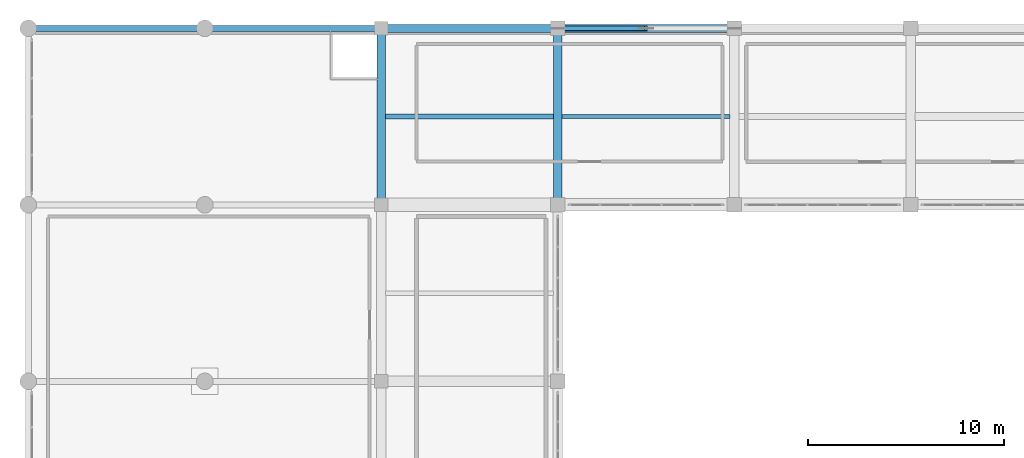
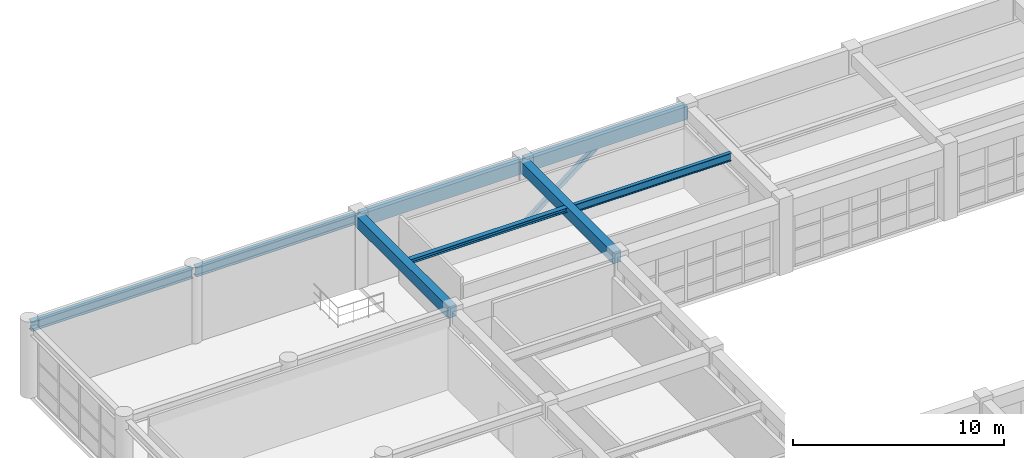
# One storey, part 66 of 133: 8 beams, 1 member.
"""IFC4 building model written with IfcOpenShell, lengths in metres."""

from ifc_helpers import new_model, si_unit, direction, frame, origin, origin_2d, place, context, subcontext, project, spatial, rectangle, hollow_rectangle, i_section, extrude, material, material_profile, profile_set, type_object, element, save


model = new_model("IFC4")

# Units and contexts
model_context = context("Model", 3, precision=1e-05, world=origin(), true_north=direction((0.0, 1.0)))
body_context = subcontext(model_context, "Body", "Model", "MODEL_VIEW")
ifc_project = project(units=[si_unit("LENGTHUNIT", "METRE"), si_unit("AREAUNIT", "SQUARE_METRE"), si_unit("VOLUMEUNIT", "CUBIC_METRE"), si_unit("PLANEANGLEUNIT", "RADIAN"), si_unit("MASSUNIT", "GRAM", prefix="KILO")], contexts=[model_context])

# Site, building, storey
site_placement = place(None, origin())
site = spatial("IfcSite", under=ifc_project, at=site_placement, CompositionType="ELEMENT")
building_placement = place(site_placement, origin())
building = spatial("IfcBuilding", under=site, at=building_placement, Name="Miravela Opera House", CompositionType="ELEMENT")
storey_placement = place(building_placement, frame((0.0, 0.0, 5.10009765625)))
storey = spatial("IfcBuildingStorey", under=building, at=storey_placement, Name="L01", CompositionType="ELEMENT", Elevation=5.10009765625)

# Beams
ifc_material_1 = material(Name="Concrete C35/45", Category="concrete")
ifc_material_profile_1 = material_profile(ifc_material_1, rectangle(XDim=0.449951171875, YDim=0.64990234375, at=origin_2d()), Name="RC-BM-450X650")
ifc_profile_set_1 = profile_set([ifc_material_profile_1])
beam_type_1 = type_object("IfcBeamType", Name="STR-BM-RC450X650", PredefinedType="BEAM", material=ifc_profile_set_1)
for number, where, z_axis, x_axis, name in (
    (1, (18.0, 103.080078125, 3.8349609375), (0.0, 1.0, 0.0), (-1.0, 0.0, 0.0), "Floor Girder L01 3/L-M"),
    (2, (27.0, 103.080078125, 3.8349609375), (0.0, 1.0, 0.0), (-1.0, 0.0, 0.0), "Floor Girder L01 4/L-M"),
):
    element("IfcBeam", number, at=place(storey_placement, frame(where, z_axis=z_axis, x_axis=x_axis)), inside=storey, type_object=beam_type_1, Name=name, PredefinedType="BEAM", context=body_context, shape_type="SweptSolid", body=[
        extrude(rectangle(XDim=0.449951171875, YDim=0.64990234375, at=origin_2d()), origin(), (0.0, 0.0, 1.0), 8.83984375),
    ])
ifc_material_2 = material(Name="Structural steel ASTM A992 Gr. 50", Category="steel")
ifc_material_profile_2 = material_profile(ifc_material_2, i_section(OverallWidth=0.25390625, OverallDepth=0.2529296875, WebThickness=0.008544921875, FlangeThickness=0.01416015625, FilletRadius=0.011962890625, at=origin_2d()), Name="W250X73")
ifc_profile_set_2 = profile_set([ifc_material_profile_2])
beam_type_2 = type_object("IfcBeamType", Name="STR-BM-W250X73", PredefinedType="JOIST", material=ifc_profile_set_2)
beam_1_placement = place(storey_placement, frame((18.2099609375, 107.5, 4.033447265625), z_axis=(1.0, 0.0, 0.0), x_axis=(0.0, 1.0, 0.0)))
element("IfcBeam", 3, at=beam_1_placement, inside=storey, type_object=beam_type_2, Name="Secondary Floor Joist L01 3-4/L-M", PredefinedType="JOIST", context=body_context, shape_type="SweptSolid", body=[
    extrude(i_section(OverallWidth=0.25390625, OverallDepth=0.2529296875, WebThickness=0.008544921875, FlangeThickness=0.01416015625, FilletRadius=0.011962890625, at=origin_2d()), origin(), (0.0, 0.0, 1.0), 8.580078125),
])
ifc_material_profile_3 = material_profile(ifc_material_2, i_section(OverallWidth=0.19091796875, OverallDepth=0.4599609375, WebThickness=0.010009765625, FlangeThickness=0.01611328125, FilletRadius=0.014892578125, at=origin_2d()), Name="W460X82")
ifc_profile_set_3 = profile_set([ifc_material_profile_3])
beam_type_3 = type_object("IfcBeamType", Name="STR-BM-W460X82", PredefinedType="JOIST", material=ifc_profile_set_3)
beam_2_placement = place(storey_placement, frame((27.2099609375, 107.5, 3.929931640625), z_axis=(1.0, 0.0, 0.0), x_axis=(0.0, 1.0, 0.0)))
element("IfcBeam", 4, at=beam_2_placement, inside=storey, type_object=beam_type_3, Name="Secondary Floor Joist L01 4-5/L-M", PredefinedType="JOIST", context=body_context, shape_type="SweptSolid", body=[
    extrude(i_section(OverallWidth=0.19091796875, OverallDepth=0.4599609375, WebThickness=0.010009765625, FlangeThickness=0.01611328125, FilletRadius=0.014892578125, at=origin_2d()), origin(), (0.0, 0.0, 1.0), 8.56494140625),
])
ifc_material_profile_4 = material_profile(ifc_material_2, i_section(OverallWidth=0.31201171875, OverallDepth=0.54296875, WebThickness=0.0126953125, FlangeThickness=0.020263671875, FilletRadius=0.01611328125, at=origin_2d()), Name="W530X150")
ifc_profile_set_4 = profile_set([ifc_material_profile_4])
beam_type_4 = type_object("IfcBeamType", Name="STR-BM-W530X150", PredefinedType="BEAM", material=ifc_profile_set_4)
for number, where, z_axis, x_axis, name in (
    (5, (0.080078125, 112.0, 3.908447265625), (1.0, 0.0, 0.0), (0.0, 1.0, 0.0), "Roof King-Post Transverse Tie Girder ROOF-V5-NORTH T3.1"),
    (6, (9.080078125, 112.0, 3.908447265625), (1.0, 0.0, 0.0), (0.0, 1.0, 0.0), "Roof King-Post Transverse Tie Girder ROOF-V5-NORTH T3.2"),
):
    element("IfcBeam", number, at=place(storey_placement, frame(where, z_axis=z_axis, x_axis=x_axis)), inside=storey, type_object=beam_type_4, Name=name, PredefinedType="BEAM", context=body_context, shape_type="SweptSolid", body=[
        extrude(i_section(OverallWidth=0.31201171875, OverallDepth=0.54296875, WebThickness=0.0126953125, FlangeThickness=0.020263671875, FilletRadius=0.01611328125, at=origin_2d()), origin(), (0.0, 0.0, 1.0), 8.83984375),
    ])

# Member
ifc_material_3 = material(Name="Hollow structural steel ASTM A500 Gr. C", Category="steel")
ifc_material_profile_5 = material_profile(ifc_material_3, hollow_rectangle(XDim=0.25, YDim=0.25, WallThickness=0.011962890625, InnerFilletRadius=0.011962890625, OuterFilletRadius=0.02392578125, at=origin_2d()), Name="HSS250X250X12")
ifc_profile_set_5 = profile_set([ifc_material_profile_5])
member_type = type_object("IfcMemberType", Name="STR-MEM-FRAME-BR1", PredefinedType="BRACE", material=ifc_profile_set_5)
member_placement = place(storey_placement, frame((27.0, 112.0, 0.2998046875), z_axis=(0.788501476184, 0.0, 0.615032862581), x_axis=(0.0, 1.0, 0.0)))
element("IfcMember", 7, at=member_placement, inside=storey, type_object=member_type, Name="Concentric Braced Frame BF-N1 L01 Left Brace", PredefinedType="BRACE", context=body_context, shape_type="SweptSolid", body=[
    extrude(hollow_rectangle(XDim=0.25, YDim=0.25, WallThickness=0.011962890625, InnerFilletRadius=0.011962890625, OuterFilletRadius=0.02392578125, at=origin_2d()), origin(), (0.0, 0.0, 1.0), 5.70703125),
])

# Beams
ifc_material_profile_6 = material_profile(ifc_material_1, rectangle(XDim=0.39990234375, YDim=0.75, at=origin_2d()), Name="RC-SPN-400X750")
ifc_profile_set_6 = profile_set([ifc_material_profile_6])
beam_type_5 = type_object("IfcBeamType", Name="STR-SPN-RC400X750", PredefinedType="SPANDREL", material=ifc_profile_set_6)
for number, where, z_axis, x_axis, name in (
    (8, (18.080078125, 112.0, 3.784912109375), (1.0, 0.0, 0.0), (0.0, 1.0, 0.0), "Floor Girder L01 3-4/M"),
    (9, (27.080078125, 112.0, 3.784912109375), (1.0, 0.0, 0.0), (0.0, 1.0, 0.0), "Floor Girder L01 4-5/M"),
):
    element("IfcBeam", number, at=place(storey_placement, frame(where, z_axis=z_axis, x_axis=x_axis)), inside=storey, type_object=beam_type_5, Name=name, PredefinedType="SPANDREL", context=body_context, shape_type="SweptSolid", body=[
        extrude(rectangle(XDim=0.39990234375, YDim=0.75, at=origin_2d()), origin(), (0.0, 0.0, 1.0), 8.83984375),
    ])

save(model, "model.ifc")
